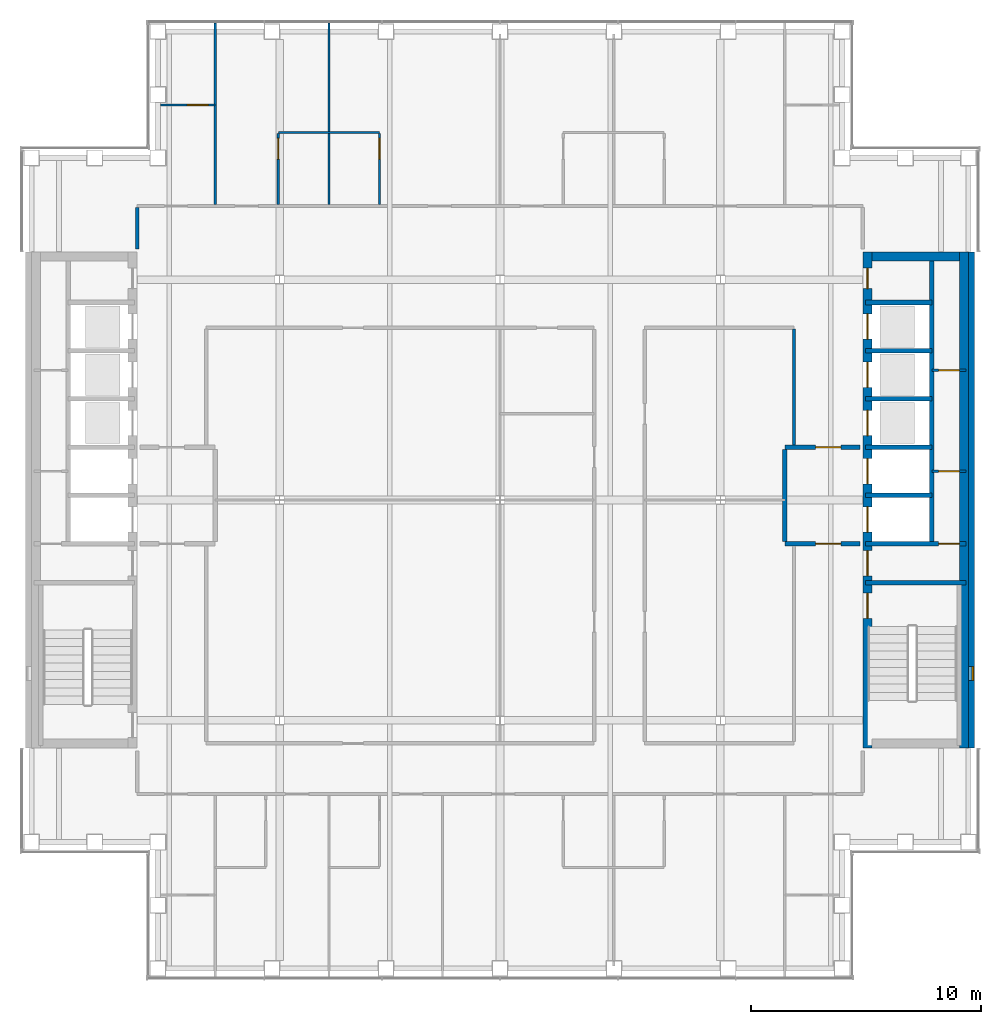
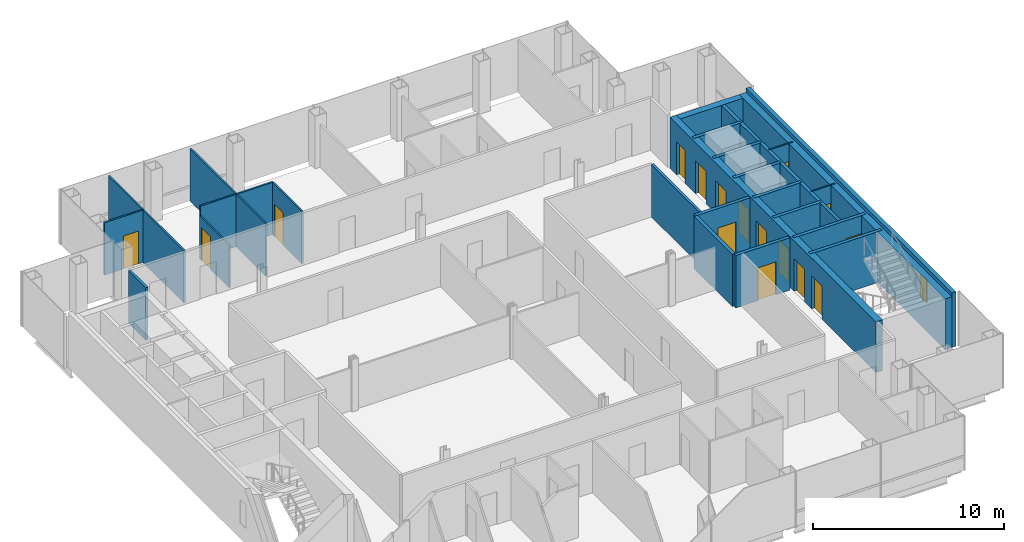
# One storey, part 12 of 15: 26 walls, 16 doors, 1 window, 17 openings.
"""IFC4 building model written with IfcOpenShell, lengths in metres."""

from ifc_helpers import new_model, si_unit, direction, frame, frame_2d, origin, place, context, subcontext, project, spatial, rectangle, extrude, material, layer, layer_set, type_object, element, fill, save


model = new_model("IFC4")

# Units and contexts
model_context = context("Model", 3, precision=1e-05, world=origin(), true_north=direction((0.0, 1.0)))
body_context = subcontext(model_context, "Body", "Model", "MODEL_VIEW")
ifc_project = project(units=[si_unit("LENGTHUNIT", "METRE"), si_unit("AREAUNIT", "SQUARE_METRE"), si_unit("VOLUMEUNIT", "CUBIC_METRE"), si_unit("PLANEANGLEUNIT", "RADIAN"), si_unit("MASSUNIT", "GRAM", prefix="KILO")], contexts=[model_context])

# Site, building, storey
site_placement = place(None, origin())
site = spatial("IfcSite", under=ifc_project, at=site_placement, CompositionType="ELEMENT")
building_placement = place(site_placement, origin())
building = spatial("IfcBuilding", under=site, at=building_placement, Name="Cobrizo Arcos Hotel Tower", CompositionType="ELEMENT")
storey_placement = place(building_placement, frame((0.0, 0.0, 201.5)))
storey = spatial("IfcBuildingStorey", under=building, at=storey_placement, Name="L52", CompositionType="ELEMENT", Elevation=201.5)

# Walls
ifc_material_1 = material(Name="Gypsum board partition")
ifc_layer_1 = layer(ifc_material_1, 0.14990234375)
ifc_layer_set_1 = layer_set([ifc_layer_1], Name="Corridor wall EI 60 150")
wall_type_1 = type_object("IfcWallType", Name="Corridor wall EI 60 150", PredefinedType="PARTITIONING", material=ifc_layer_set_1)
wall_1_placement = place(storey_placement, frame((-15.800048828125, 10.919921875, 0.0), z_axis=(0.0, 0.0, 1.0), x_axis=(0.0, 1.0, 0.0)))
element("IfcWall", 1, at=wall_1_placement, inside=storey, type_object=wall_type_1, Name="Partition 050", PredefinedType="PARTITIONING", context=body_context, shape_type="SweptSolid", body=[
    extrude(rectangle(XDim=1.80517578125, YDim=0.14990234375, at=frame_2d((0.902587890625, 0.0))), origin(), (0.0, 0.0, 1.0), 3.35009765625),
])
wall_2_placement = place(storey_placement, frame((12.800048828125, 2.39990234375, 0.0), z_axis=(0.0, 0.0, 1.0), x_axis=(0.0, 1.0, 0.0)))
element("IfcWall", 2, at=wall_2_placement, inside=storey, type_object=wall_type_1, Name="Partition 083", PredefinedType="PARTITIONING", context=body_context, shape_type="SweptSolid", body=[
    extrude(rectangle(XDim=5.050048828125, YDim=0.14990234375, at=frame_2d((2.52490234375, 0.0))), origin(), (0.0, 0.0, 1.0), 3.35009765625),
])

# Wall, opening, window
ifc_material_2 = material(Name="Aluminium composite panel pale metal", Category="aluminium")
ifc_layer_2 = layer(ifc_material_2, 0.25)
ifc_layer_set_2 = layer_set([ifc_layer_2], Name="EW-1 insulated panel wall 250")
wall_type_2 = type_object("IfcWallType", Name="EW-1 insulated panel wall 250", PredefinedType="SOLIDWALL", material=ifc_layer_set_2)
wall_3_placement = place(storey_placement, frame((20.52490234375, -10.800048828125, 0.0), z_axis=(0.0, 0.0, 1.0), x_axis=(0.0, 1.0, 0.0)))
wall_3 = element("IfcWall", 3, at=wall_3_placement, inside=storey, type_object=wall_type_2, Name="Core face wall L52 E", PredefinedType="SOLIDWALL", context=body_context, shape_type="SweptSolid", body=[
    extrude(rectangle(XDim=21.60009765625, YDim=0.25, at=frame_2d((10.800048828125, 0.0))), origin(), (0.0, 0.0, 1.0), 3.5),
])
opening_1_placement = place(wall_3_placement, frame((2.949951171875, 0.0, 1.0)))
opening_1 = element("IfcOpeningElement", 4, at=opening_1_placement, cuts=wall_3, Name="Opening W-117", PredefinedType="OPENING", context=body_context, shape_type="SweptSolid", body=[
    extrude(rectangle(XDim=0.60009765625, YDim=1.5, at=frame_2d((0.300048828125, 0.75))), frame((0.0, 0.136962890625, 0.0), z_axis=(0.0, -1.0, 0.0), x_axis=(1.0, 0.0, 0.0)), (0.0, 0.0, 1.0), 0.27392578125),
])
ifc_material_3 = material(Name="Aluminium 6063-T6 and clear laminated glass", Category="aluminium")
window_type = type_object("IfcWindowType", Name="W-C1 core stair slot window 600x1500", PartitioningType="SINGLE_PANEL", PredefinedType="WINDOW", material=ifc_material_3)
window_placement = place(opening_1_placement, origin())
window = element("IfcWindow", 5, at=window_placement, inside=storey, type_object=window_type, Name="Core face wall L52 E window W-117", OverallHeight=1.5, OverallWidth=0.60009765625, PartitioningType="SINGLE_PANEL", PredefinedType="WINDOW", context=body_context, shape_type="SweptSolid", body=[
    extrude(rectangle(XDim=0.60009765625, YDim=1.5, at=frame_2d((0.300048828125, 0.75))), frame((0.0, -0.034912109375, 0.0), z_axis=(0.0, -1.0, 0.0), x_axis=(1.0, 0.0, 0.0)), (0.0, 0.0, 1.0), 0.06005859375),
])
fill(opening_1, window)

# Wall, opening, door
ifc_layer_3 = layer(ifc_material_1, 0.10009765625)
ifc_layer_set_3 = layer_set([ifc_layer_3], Name="Partition EI 30 100")
wall_type_3 = type_object("IfcWallType", Name="Partition EI 30 100", PredefinedType="PARTITIONING", material=ifc_layer_set_3)
wall_4_placement = place(storey_placement, frame((18.800048828125, 1.25, 0.0), z_axis=(0.0, 0.0, 1.0), x_axis=(1.0, 0.0, 0.0)))
wall_4 = element("IfcWall", 6, at=wall_4_placement, inside=storey, type_object=wall_type_3, Name="Partition 026", PredefinedType="PARTITIONING", context=body_context, shape_type="SweptSolid", body=[
    extrude(rectangle(XDim=1.47998046875, YDim=0.10009765625, at=frame_2d((0.739990234375, 0.0))), origin(), (0.0, 0.0, 1.0), 3.25),
])
opening_2_placement = place(wall_4_placement, frame((0.300048828125, 0.0, 0.0)))
opening_2 = element("IfcOpeningElement", 7, at=opening_2_placement, cuts=wall_4, Name="Opening RD-07", PredefinedType="OPENING", context=body_context, shape_type="SweptSolid", body=[
    extrude(rectangle(XDim=0.89990234375, YDim=2.10009765625, at=frame_2d((0.449951171875, 1.050048828125))), frame((0.0, 0.06201171875, 0.0), z_axis=(0.0, -1.0, 0.0), x_axis=(1.0, 0.0, 0.0)), (0.0, 0.0, 1.0), 0.1240234375),
])
ifc_material_4 = material(Name="Timber door leaf", Category="wood")
door_type_1 = type_object("IfcDoorType", Name="Room door FD30 900x2100", OperationType="SINGLE_SWING_LEFT", PredefinedType="DOOR", material=ifc_material_4)
door_1_placement = place(opening_2_placement, origin())
door_1 = element("IfcDoor", 8, at=door_1_placement, inside=storey, type_object=door_type_1, Name="Door RD-07", OperationType="SINGLE_SWING_LEFT", OverallHeight=2.10009765625, OverallWidth=0.89990234375, PredefinedType="DOOR", context=body_context, shape_type="SweptSolid", body=[
    extrude(rectangle(XDim=0.89990234375, YDim=2.10009765625, at=frame_2d((0.449951171875, 1.050048828125))), frame((0.0, 0.02490234375, 0.0), z_axis=(0.0, -1.0, 0.0), x_axis=(1.0, 0.0, 0.0)), (0.0, 0.0, 1.0), 0.050048828125),
])
fill(opening_2, door_1)

wall_5_placement = place(storey_placement, frame((18.800048828125, 5.64990234375, 0.0), z_axis=(0.0, 0.0, 1.0), x_axis=(1.0, 0.0, 0.0)))
wall_5 = element("IfcWall", 9, at=wall_5_placement, inside=storey, type_object=wall_type_3, Name="Partition 035", PredefinedType="PARTITIONING", context=body_context, shape_type="SweptSolid", body=[
    extrude(rectangle(XDim=1.47998046875, YDim=0.10009765625, at=frame_2d((0.739990234375, 0.0))), origin(), (0.0, 0.0, 1.0), 3.25),
])
opening_3_placement = place(wall_5_placement, frame((0.300048828125, 0.0, 0.0)))
opening_3 = element("IfcOpeningElement", 10, at=opening_3_placement, cuts=wall_5, Name="Opening RD-08", PredefinedType="OPENING", context=body_context, shape_type="SweptSolid", body=[
    extrude(rectangle(XDim=0.89990234375, YDim=2.10009765625, at=frame_2d((0.449951171875, 1.050048828125))), frame((0.0, 0.06201171875, 0.0), z_axis=(0.0, -1.0, 0.0), x_axis=(1.0, 0.0, 0.0)), (0.0, 0.0, 1.0), 0.1240234375),
])
door_2_placement = place(opening_3_placement, origin())
door_2 = element("IfcDoor", 11, at=door_2_placement, inside=storey, type_object=door_type_1, Name="Door RD-08", OperationType="SINGLE_SWING_LEFT", OverallHeight=2.10009765625, OverallWidth=0.89990234375, PredefinedType="DOOR", context=body_context, shape_type="SweptSolid", body=[
    extrude(rectangle(XDim=0.89990234375, YDim=2.10009765625, at=frame_2d((0.449951171875, 1.050048828125))), frame((0.0, 0.02490234375, 0.0), z_axis=(0.0, -1.0, 0.0), x_axis=(1.0, 0.0, 0.0)), (0.0, 0.0, 1.0), 0.050048828125),
])
fill(opening_3, door_2)

# Wall
wall_6_placement = place(storey_placement, frame((-9.64990234375, 16.0, 0.0), z_axis=(0.0, 0.0, 1.0), x_axis=(1.0, 0.0, 0.0)))
element("IfcWall", 12, at=wall_6_placement, inside=storey, type_object=wall_type_3, Name="Partition 043", PredefinedType="PARTITIONING", context=body_context, shape_type="SweptSolid", body=[
    extrude(rectangle(XDim=4.39990234375, YDim=0.10009765625, at=frame_2d((2.199951171875, 0.0))), origin(), (0.0, 0.0, 1.0), 3.35009765625),
])

# Wall, opening, door
wall_7_placement = place(storey_placement, frame((-14.780029296875, 17.199951171875, 0.0), z_axis=(0.0, 0.0, 1.0), x_axis=(1.0, 0.0, 0.0)))
wall_7 = element("IfcWall", 13, at=wall_7_placement, inside=storey, type_object=wall_type_3, Name="Partition 045", PredefinedType="PARTITIONING", context=body_context, shape_type="SweptSolid", body=[
    extrude(rectangle(XDim=2.380126953125, YDim=0.10009765625, at=frame_2d((1.18994140625, 0.0))), origin(), (0.0, 0.0, 1.0), 3.35009765625),
])
opening_4_placement = place(wall_7_placement, frame((1.16796875, 0.0, 0.0)))
opening_4 = element("IfcOpeningElement", 14, at=opening_4_placement, cuts=wall_7, Name="Opening ED-10", PredefinedType="OPENING", context=body_context, shape_type="SweptSolid", body=[
    extrude(rectangle(XDim=0.89990234375, YDim=2.10009765625, at=frame_2d((0.449951171875, 1.050048828125))), frame((0.0, 0.06201171875, 0.0), z_axis=(0.0, -1.0, 0.0), x_axis=(1.0, 0.0, 0.0)), (0.0, 0.0, 1.0), 0.1240234375),
])
door_type_2 = type_object("IfcDoorType", Name="En-suite door 900x2100", OperationType="SINGLE_SWING_LEFT", PredefinedType="DOOR", material=ifc_material_4)
door_3_placement = place(opening_4_placement, origin())
door_3 = element("IfcDoor", 15, at=door_3_placement, inside=storey, type_object=door_type_2, Name="Door ED-10", OperationType="SINGLE_SWING_LEFT", OverallHeight=2.10009765625, OverallWidth=0.89990234375, PredefinedType="DOOR", context=body_context, shape_type="SweptSolid", body=[
    extrude(rectangle(XDim=0.89990234375, YDim=2.10009765625, at=frame_2d((0.449951171875, 1.050048828125))), frame((0.0, 0.02490234375, 0.0), z_axis=(0.0, -1.0, 0.0), x_axis=(1.0, 0.0, 0.0)), (0.0, 0.0, 1.0), 0.050048828125),
])
fill(opening_4, door_3)

# Wall
wall_8_placement = place(storey_placement, frame((-12.39990234375, 12.875, 0.0), z_axis=(0.0, 0.0, 1.0), x_axis=(0.0, 1.0, 0.0)))
element("IfcWall", 16, at=wall_8_placement, inside=storey, type_object=wall_type_3, Name="Partition 055", PredefinedType="PARTITIONING", context=body_context, shape_type="SweptSolid", body=[
    extrude(rectangle(XDim=7.905029296875, YDim=0.10009765625, at=frame_2d((3.95263671875, 0.0))), origin(), (0.0, 0.0, 1.0), 3.35009765625),
])

# Wall, opening, door
wall_9_placement = place(storey_placement, frame((-9.64990234375, 12.875, 0.0), z_axis=(0.0, 0.0, 1.0), x_axis=(0.0, 1.0, 0.0)))
wall_9 = element("IfcWall", 17, at=wall_9_placement, inside=storey, type_object=wall_type_3, Name="Partition 057", PredefinedType="PARTITIONING", context=body_context, shape_type="SweptSolid", body=[
    extrude(rectangle(XDim=3.074951171875, YDim=0.10009765625, at=frame_2d((1.53759765625, 0.0))), origin(), (0.0, 0.0, 1.0), 2.72802734375),
])
opening_5_placement = place(wall_9_placement, frame((1.970947265625, 0.0, 0.0)))
opening_5 = element("IfcOpeningElement", 18, at=opening_5_placement, cuts=wall_9, Name="Opening ED-01", PredefinedType="OPENING", context=body_context, shape_type="SweptSolid", body=[
    extrude(rectangle(XDim=0.89990234375, YDim=2.10009765625, at=frame_2d((0.449951171875, 1.050048828125))), frame((0.0, 0.06201171875, 0.0), z_axis=(0.0, -1.0, 0.0), x_axis=(1.0, 0.0, 0.0)), (0.0, 0.0, 1.0), 0.1240234375),
])
door_4_placement = place(opening_5_placement, origin())
door_4 = element("IfcDoor", 19, at=door_4_placement, inside=storey, type_object=door_type_2, Name="Door ED-01", OperationType="SINGLE_SWING_RIGHT", OverallHeight=2.10009765625, OverallWidth=0.89990234375, PredefinedType="DOOR", context=body_context, shape_type="SweptSolid", body=[
    extrude(rectangle(XDim=0.89990234375, YDim=2.10009765625, at=frame_2d((0.449951171875, 1.050048828125))), frame((0.0, 0.02490234375, 0.0), z_axis=(0.0, -1.0, 0.0), x_axis=(1.0, 0.0, 0.0)), (0.0, 0.0, 1.0), 0.050048828125),
])
fill(opening_5, door_4)

# Walls
wall_10_placement = place(storey_placement, frame((-7.449951171875, 12.875, 0.0), z_axis=(0.0, 0.0, 1.0), x_axis=(0.0, 1.0, 0.0)))
element("IfcWall", 20, at=wall_10_placement, inside=storey, type_object=wall_type_3, Name="Partition 059", PredefinedType="PARTITIONING", context=body_context, shape_type="SweptSolid", body=[
    extrude(rectangle(XDim=3.074951171875, YDim=0.10009765625, at=frame_2d((1.53759765625, 0.0))), origin(), (0.0, 0.0, 1.0), 3.35009765625),
])
wall_11_placement = place(storey_placement, frame((-7.449951171875, 16.050048828125, 0.0), z_axis=(0.0, 0.0, 1.0), x_axis=(0.0, 1.0, 0.0)))
element("IfcWall", 21, at=wall_11_placement, inside=storey, type_object=wall_type_3, Name="Partition 060", PredefinedType="PARTITIONING", context=body_context, shape_type="SweptSolid", body=[
    extrude(rectangle(XDim=4.72998046875, YDim=0.10009765625, at=frame_2d((2.364990234375, 0.0))), origin(), (0.0, 0.0, 1.0), 3.35009765625),
])

# Wall, opening, door
wall_12_placement = place(storey_placement, frame((-5.25, 12.875, 0.0), z_axis=(0.0, 0.0, 1.0), x_axis=(0.0, 1.0, 0.0)))
wall_12 = element("IfcWall", 22, at=wall_12_placement, inside=storey, type_object=wall_type_3, Name="Partition 062", PredefinedType="PARTITIONING", context=body_context, shape_type="SweptSolid", body=[
    extrude(rectangle(XDim=3.074951171875, YDim=0.10009765625, at=frame_2d((1.53759765625, 0.0))), origin(), (0.0, 0.0, 1.0), 3.35009765625),
])
opening_6_placement = place(wall_12_placement, frame((1.970947265625, 0.0, 0.0)))
opening_6 = element("IfcOpeningElement", 23, at=opening_6_placement, cuts=wall_12, Name="Opening ED-02", PredefinedType="OPENING", context=body_context, shape_type="SweptSolid", body=[
    extrude(rectangle(XDim=0.89990234375, YDim=2.10009765625, at=frame_2d((0.449951171875, 1.050048828125))), frame((0.0, 0.06201171875, 0.0), z_axis=(0.0, -1.0, 0.0), x_axis=(1.0, 0.0, 0.0)), (0.0, 0.0, 1.0), 0.1240234375),
])
door_5_placement = place(opening_6_placement, origin())
door_5 = element("IfcDoor", 24, at=door_5_placement, inside=storey, type_object=door_type_2, Name="Door ED-02", OperationType="SINGLE_SWING_RIGHT", OverallHeight=2.10009765625, OverallWidth=0.89990234375, PredefinedType="DOOR", context=body_context, shape_type="SweptSolid", body=[
    extrude(rectangle(XDim=0.89990234375, YDim=2.10009765625, at=frame_2d((0.449951171875, 1.050048828125))), frame((0.0, 0.02490234375, 0.0), z_axis=(0.0, -1.0, 0.0), x_axis=(1.0, 0.0, 0.0)), (0.0, 0.0, 1.0), 0.050048828125),
])
fill(opening_6, door_5)

# Wall, openings, doors
ifc_material_5 = material(Name="Concrete f'c 40 MPa", Category="concrete")
ifc_layer_4 = layer(ifc_material_5, 0.39990234375)
ifc_layer_set_4 = layer_set([ifc_layer_4], Name="RC core wall 400 f'c 40")
wall_type_4 = type_object("IfcWallType", Name="RC core wall 400 f'c 40", PredefinedType="SHEAR", material=ifc_layer_set_4)
wall_13_placement = place(storey_placement, frame((16.0, -10.800048828125, 0.0), z_axis=(0.0, 0.0, 1.0), x_axis=(0.0, 1.0, 0.0)))
wall_13 = element("IfcWall", 25, at=wall_13_placement, inside=storey, type_object=wall_type_4, Name="Core wall CW4, east core, inner face, L52", PredefinedType="SHEAR", context=body_context, shape_type="SweptSolid", body=[
    extrude(rectangle(XDim=21.60009765625, YDim=0.39990234375, at=frame_2d((10.800048828125, 0.0))), origin(), (0.0, 0.0, 1.0), 3.25),
])
opening_7_placement = place(wall_13_placement, frame((9.39990234375, 0.0, 0.0)))
opening_7 = element("IfcOpeningElement", 26, at=opening_7_placement, cuts=wall_13, Name="Opening LD-06", PredefinedType="OPENING", context=body_context, shape_type="SweptSolid", body=[
    extrude(rectangle(XDim=1.10009765625, YDim=2.10009765625, at=frame_2d((0.550048828125, 1.050048828125))), frame((0.0, 0.2119140625, 0.0), z_axis=(0.0, -1.0, 0.0), x_axis=(1.0, 0.0, 0.0)), (0.0, 0.0, 1.0), 0.423828125),
])
opening_8_placement = place(wall_13_placement, frame((11.5, 0.0, 0.0)))
opening_8 = element("IfcOpeningElement", 27, at=opening_8_placement, cuts=wall_13, Name="Opening LD-07", PredefinedType="OPENING", context=body_context, shape_type="SweptSolid", body=[
    extrude(rectangle(XDim=1.10009765625, YDim=2.10009765625, at=frame_2d((0.550048828125, 1.050048828125))), frame((0.0, 0.2119140625, 0.0), z_axis=(0.0, -1.0, 0.0), x_axis=(1.0, 0.0, 0.0)), (0.0, 0.0, 1.0), 0.423828125),
])
opening_9_placement = place(wall_13_placement, frame((13.60009765625, 0.0, 0.0)))
opening_9 = element("IfcOpeningElement", 28, at=opening_9_placement, cuts=wall_13, Name="Opening LD-08", PredefinedType="OPENING", context=body_context, shape_type="SweptSolid", body=[
    extrude(rectangle(XDim=1.10009765625, YDim=2.10009765625, at=frame_2d((0.550048828125, 1.050048828125))), frame((0.0, 0.2119140625, 0.0), z_axis=(0.0, -1.0, 0.0), x_axis=(1.0, 0.0, 0.0)), (0.0, 0.0, 1.0), 0.423828125),
])
opening_10_placement = place(wall_13_placement, frame((15.699951171875, 0.0, 0.0)))
opening_10 = element("IfcOpeningElement", 29, at=opening_10_placement, cuts=wall_13, Name="Opening LD-09", PredefinedType="OPENING", context=body_context, shape_type="SweptSolid", body=[
    extrude(rectangle(XDim=1.10009765625, YDim=2.10009765625, at=frame_2d((0.550048828125, 1.050048828125))), frame((0.0, 0.2119140625, 0.0), z_axis=(0.0, -1.0, 0.0), x_axis=(1.0, 0.0, 0.0)), (0.0, 0.0, 1.0), 0.423828125),
])
opening_11_placement = place(wall_13_placement, frame((17.800048828125, 0.0, 0.0)))
opening_11 = element("IfcOpeningElement", 30, at=opening_11_placement, cuts=wall_13, Name="Opening LD-10", PredefinedType="OPENING", context=body_context, shape_type="SweptSolid", body=[
    extrude(rectangle(XDim=1.10009765625, YDim=2.10009765625, at=frame_2d((0.550048828125, 1.050048828125))), frame((0.0, 0.2119140625, 0.0), z_axis=(0.0, -1.0, 0.0), x_axis=(1.0, 0.0, 0.0)), (0.0, 0.0, 1.0), 0.423828125),
])
opening_12_placement = place(wall_13_placement, frame((5.64208984375, 0.0, 0.0)))
opening_12 = element("IfcOpeningElement", 31, at=opening_12_placement, cuts=wall_13, Name="Opening SD-02", PredefinedType="OPENING", context=body_context, shape_type="SweptSolid", body=[
    extrude(rectangle(XDim=1.10009765625, YDim=2.10009765625, at=frame_2d((0.550048828125, 1.050048828125))), frame((0.0, 0.2119140625, 0.0), z_axis=(0.0, -1.0, 0.0), x_axis=(1.0, 0.0, 0.0)), (0.0, 0.0, 1.0), 0.423828125),
])
opening_13_placement = place(wall_13_placement, frame((7.5, 0.0, 0.0)))
opening_13 = element("IfcOpeningElement", 32, at=opening_13_placement, cuts=wall_13, Name="Opening FD-04", PredefinedType="OPENING", context=body_context, shape_type="SweptSolid", body=[
    extrude(rectangle(XDim=1.10009765625, YDim=2.10009765625, at=frame_2d((0.550048828125, 1.050048828125))), frame((0.0, 0.2119140625, 0.0), z_axis=(0.0, -1.0, 0.0), x_axis=(1.0, 0.0, 0.0)), (0.0, 0.0, 1.0), 0.423828125),
])
opening_14_placement = place(wall_13_placement, frame((20.0, 0.0, 0.0)))
opening_14 = element("IfcOpeningElement", 33, at=opening_14_placement, cuts=wall_13, Name="Opening RD-05", PredefinedType="OPENING", context=body_context, shape_type="SweptSolid", body=[
    extrude(rectangle(XDim=0.89990234375, YDim=2.10009765625, at=frame_2d((0.449951171875, 1.050048828125))), frame((0.0, 0.2119140625, 0.0), z_axis=(0.0, -1.0, 0.0), x_axis=(1.0, 0.0, 0.0)), (0.0, 0.0, 1.0), 0.423828125),
])
ifc_material_6 = material(Name="Steel door leaf", Category="steel")
door_type_3 = type_object("IfcDoorType", Name="Fire door FD60 1100x2100", OperationType="SINGLE_SWING_LEFT", PredefinedType="DOOR", material=ifc_material_6)
door_6_placement = place(opening_13_placement, origin())
door_6 = element("IfcDoor", 34, at=door_6_placement, inside=storey, type_object=door_type_3, Name="Door FD-04", OperationType="SINGLE_SWING_LEFT", OverallHeight=2.10009765625, OverallWidth=1.10009765625, PredefinedType="DOOR", context=body_context, shape_type="SweptSolid", body=[
    extrude(rectangle(XDim=1.10009765625, YDim=2.10009765625, at=frame_2d((0.550048828125, 1.050048828125))), frame((0.0, 0.02490234375, 0.0), z_axis=(0.0, -1.0, 0.0), x_axis=(1.0, 0.0, 0.0)), (0.0, 0.0, 1.0), 0.050048828125),
])
fill(opening_13, door_6)
door_type_4 = type_object("IfcDoorType", Name="Lift landing door 1100x2100", OperationType="SLIDING_TO_LEFT", PredefinedType="DOOR", material=ifc_material_6)
door_7_placement = place(opening_7_placement, origin())
door_7 = element("IfcDoor", 35, at=door_7_placement, inside=storey, type_object=door_type_4, Name="Lift landing door LD-06", OperationType="SLIDING_TO_LEFT", OverallHeight=2.10009765625, OverallWidth=1.10009765625, PredefinedType="DOOR", context=body_context, shape_type="SweptSolid", body=[
    extrude(rectangle(XDim=1.10009765625, YDim=2.10009765625, at=frame_2d((0.550048828125, 1.050048828125))), frame((0.0, 0.02490234375, 0.0), z_axis=(0.0, -1.0, 0.0), x_axis=(1.0, 0.0, 0.0)), (0.0, 0.0, 1.0), 0.050048828125),
])
fill(opening_7, door_7)
door_8_placement = place(opening_8_placement, origin())
door_8 = element("IfcDoor", 36, at=door_8_placement, inside=storey, type_object=door_type_4, Name="Lift landing door LD-07", OperationType="SLIDING_TO_LEFT", OverallHeight=2.10009765625, OverallWidth=1.10009765625, PredefinedType="DOOR", context=body_context, shape_type="SweptSolid", body=[
    extrude(rectangle(XDim=1.10009765625, YDim=2.10009765625, at=frame_2d((0.550048828125, 1.050048828125))), frame((0.0, 0.02490234375, 0.0), z_axis=(0.0, -1.0, 0.0), x_axis=(1.0, 0.0, 0.0)), (0.0, 0.0, 1.0), 0.050048828125),
])
fill(opening_8, door_8)
door_9_placement = place(opening_9_placement, origin())
door_9 = element("IfcDoor", 37, at=door_9_placement, inside=storey, type_object=door_type_4, Name="Lift landing door LD-08", OperationType="SLIDING_TO_LEFT", OverallHeight=2.10009765625, OverallWidth=1.10009765625, PredefinedType="DOOR", context=body_context, shape_type="SweptSolid", body=[
    extrude(rectangle(XDim=1.10009765625, YDim=2.10009765625, at=frame_2d((0.550048828125, 1.050048828125))), frame((0.0, 0.02490234375, 0.0), z_axis=(0.0, -1.0, 0.0), x_axis=(1.0, 0.0, 0.0)), (0.0, 0.0, 1.0), 0.050048828125),
])
fill(opening_9, door_9)
door_10_placement = place(opening_10_placement, origin())
door_10 = element("IfcDoor", 38, at=door_10_placement, inside=storey, type_object=door_type_4, Name="Lift landing door LD-09", OperationType="SLIDING_TO_LEFT", OverallHeight=2.10009765625, OverallWidth=1.10009765625, PredefinedType="DOOR", context=body_context, shape_type="SweptSolid", body=[
    extrude(rectangle(XDim=1.10009765625, YDim=2.10009765625, at=frame_2d((0.550048828125, 1.050048828125))), frame((0.0, 0.02490234375, 0.0), z_axis=(0.0, -1.0, 0.0), x_axis=(1.0, 0.0, 0.0)), (0.0, 0.0, 1.0), 0.050048828125),
])
fill(opening_10, door_10)
door_11_placement = place(opening_11_placement, origin())
door_11 = element("IfcDoor", 39, at=door_11_placement, inside=storey, type_object=door_type_4, Name="Lift landing door LD-10", OperationType="SLIDING_TO_LEFT", OverallHeight=2.10009765625, OverallWidth=1.10009765625, PredefinedType="DOOR", context=body_context, shape_type="SweptSolid", body=[
    extrude(rectangle(XDim=1.10009765625, YDim=2.10009765625, at=frame_2d((0.550048828125, 1.050048828125))), frame((0.0, 0.02490234375, 0.0), z_axis=(0.0, -1.0, 0.0), x_axis=(1.0, 0.0, 0.0)), (0.0, 0.0, 1.0), 0.050048828125),
])
fill(opening_11, door_11)
door_12_placement = place(opening_14_placement, origin())
door_12 = element("IfcDoor", 40, at=door_12_placement, inside=storey, type_object=door_type_1, Name="Door RD-05", OperationType="SINGLE_SWING_RIGHT", OverallHeight=2.10009765625, OverallWidth=0.89990234375, PredefinedType="DOOR", context=body_context, shape_type="SweptSolid", body=[
    extrude(rectangle(XDim=0.89990234375, YDim=2.10009765625, at=frame_2d((0.449951171875, 1.050048828125))), frame((0.0, 0.02490234375, 0.0), z_axis=(0.0, -1.0, 0.0), x_axis=(1.0, 0.0, 0.0)), (0.0, 0.0, 1.0), 0.050048828125),
])
fill(opening_14, door_12)
door_type_5 = type_object("IfcDoorType", Name="Stair door FD60S 1100x2100", OperationType="SINGLE_SWING_LEFT", PredefinedType="DOOR", material=ifc_material_6)
door_13_placement = place(opening_12_placement, origin())
door_13 = element("IfcDoor", 41, at=door_13_placement, inside=storey, type_object=door_type_5, Name="Door SD-02", OperationType="SINGLE_SWING_LEFT", OverallHeight=2.10009765625, OverallWidth=1.10009765625, PredefinedType="DOOR", context=body_context, shape_type="SweptSolid", body=[
    extrude(rectangle(XDim=1.10009765625, YDim=2.10009765625, at=frame_2d((0.550048828125, 1.050048828125))), frame((0.0, 0.02490234375, 0.0), z_axis=(0.0, -1.0, 0.0), x_axis=(1.0, 0.0, 0.0)), (0.0, 0.0, 1.0), 0.050048828125),
])
fill(opening_12, door_13)

# Walls
wall_14_placement = place(storey_placement, frame((20.199951171875, -10.800048828125, 0.0), z_axis=(0.0, 0.0, 1.0), x_axis=(0.0, 1.0, 0.0)))
element("IfcWall", 42, at=wall_14_placement, inside=storey, type_object=wall_type_4, Name="Core wall CW4, east core, outer face, L52", PredefinedType="SHEAR", context=body_context, shape_type="SweptSolid", body=[
    extrude(rectangle(XDim=21.60009765625, YDim=0.39990234375, at=frame_2d((10.800048828125, 0.0))), origin(), (0.0, 0.0, 1.0), 3.25),
])
wall_15_placement = place(storey_placement, frame((16.199951171875, 10.60009765625, 0.0), z_axis=(0.0, 0.0, 1.0), x_axis=(1.0, 0.0, 0.0)))
element("IfcWall", 43, at=wall_15_placement, inside=storey, type_object=wall_type_4, Name="Core wall CW4, east core, north end, L52", PredefinedType="SHEAR", context=body_context, shape_type="SweptSolid", body=[
    extrude(rectangle(XDim=3.800048828125, YDim=0.39990234375, at=frame_2d((1.89990234375, 0.0))), origin(), (0.0, 0.0, 1.0), 3.25),
])

# Wall, opening, door
ifc_layer_5 = layer(ifc_material_1, 0.199951171875)
ifc_layer_set_5 = layer_set([ifc_layer_5], Name="Shaft wall EI 120 200")
wall_type_5 = type_object("IfcWallType", Name="Shaft wall EI 120 200", PredefinedType="PARTITIONING", material=ifc_layer_set_5)
wall_16_placement = place(storey_placement, frame((12.39990234375, -1.89990234375, 0.0), z_axis=(0.0, 0.0, 1.0), x_axis=(1.0, 0.0, 0.0)))
wall_16 = element("IfcWall", 44, at=wall_16_placement, inside=storey, type_object=wall_type_5, Name="Partition 013", PredefinedType="PARTITIONING", context=body_context, shape_type="SweptSolid", body=[
    extrude(rectangle(XDim=3.280029296875, YDim=0.199951171875, at=frame_2d((1.64013671875, 0.0))), origin(), (0.0, 0.0, 1.0), 3.35009765625),
])
opening_15_placement = place(wall_16_placement, frame((1.340087890625, 0.0, 0.0)))
opening_15 = element("IfcOpeningElement", 45, at=opening_15_placement, cuts=wall_16, Name="Opening FD-06", PredefinedType="OPENING", context=body_context, shape_type="SweptSolid", body=[
    extrude(rectangle(XDim=1.10009765625, YDim=2.10009765625, at=frame_2d((0.550048828125, 1.050048828125))), frame((0.0, 0.112060546875, 0.0), z_axis=(0.0, -1.0, 0.0), x_axis=(1.0, 0.0, 0.0)), (0.0, 0.0, 1.0), 0.223876953125),
])
door_14_placement = place(opening_15_placement, origin())
door_14 = element("IfcDoor", 46, at=door_14_placement, inside=storey, type_object=door_type_3, Name="Door FD-06", OperationType="SINGLE_SWING_RIGHT", OverallHeight=2.10009765625, OverallWidth=1.10009765625, PredefinedType="DOOR", context=body_context, shape_type="SweptSolid", body=[
    extrude(rectangle(XDim=1.10009765625, YDim=2.10009765625, at=frame_2d((0.550048828125, 1.050048828125))), frame((0.0, 0.02490234375, 0.0), z_axis=(0.0, -1.0, 0.0), x_axis=(1.0, 0.0, 0.0)), (0.0, 0.0, 1.0), 0.050048828125),
])
fill(opening_15, door_14)

wall_17_placement = place(storey_placement, frame((15.919921875, -1.89990234375, 0.0), z_axis=(0.0, 0.0, 1.0), x_axis=(1.0, 0.0, 0.0)))
wall_17 = element("IfcWall", 47, at=wall_17_placement, inside=storey, type_object=wall_type_5, Name="Partition 014", PredefinedType="PARTITIONING", context=body_context, shape_type="SweptSolid", body=[
    extrude(rectangle(XDim=4.360107421875, YDim=0.199951171875, at=frame_2d((2.18017578125, 0.0))), origin(), (0.0, 0.0, 1.0), 3.25),
])
opening_16_placement = place(wall_17_placement, frame((3.179931640625, 0.0, 0.0)))
opening_16 = element("IfcOpeningElement", 48, at=opening_16_placement, cuts=wall_17, Name="Opening RD-06", PredefinedType="OPENING", context=body_context, shape_type="SweptSolid", body=[
    extrude(rectangle(XDim=0.89990234375, YDim=2.10009765625, at=frame_2d((0.449951171875, 1.050048828125))), frame((0.0, 0.112060546875, 0.0), z_axis=(0.0, -1.0, 0.0), x_axis=(1.0, 0.0, 0.0)), (0.0, 0.0, 1.0), 0.223876953125),
])
door_15_placement = place(opening_16_placement, origin())
door_15 = element("IfcDoor", 49, at=door_15_placement, inside=storey, type_object=door_type_1, Name="Door RD-06", OperationType="SINGLE_SWING_RIGHT", OverallHeight=2.10009765625, OverallWidth=0.89990234375, PredefinedType="DOOR", context=body_context, shape_type="SweptSolid", body=[
    extrude(rectangle(XDim=0.89990234375, YDim=2.10009765625, at=frame_2d((0.449951171875, 1.050048828125))), frame((0.0, 0.02490234375, 0.0), z_axis=(0.0, -1.0, 0.0), x_axis=(1.0, 0.0, 0.0)), (0.0, 0.0, 1.0), 0.050048828125),
])
fill(opening_16, door_15)

# Wall
wall_18_placement = place(storey_placement, frame((15.919921875, 0.199951171875, 0.0), z_axis=(0.0, 0.0, 1.0), x_axis=(1.0, 0.0, 0.0)))
element("IfcWall", 50, at=wall_18_placement, inside=storey, type_object=wall_type_5, Name="Partition 024", PredefinedType="PARTITIONING", context=body_context, shape_type="SweptSolid", body=[
    extrude(rectangle(XDim=2.880126953125, YDim=0.199951171875, at=frame_2d((1.43994140625, 0.0))), origin(), (0.0, 0.0, 1.0), 3.25),
])

# Wall, opening, door
wall_19_placement = place(storey_placement, frame((12.39990234375, 2.300048828125, 0.0), z_axis=(0.0, 0.0, 1.0), x_axis=(1.0, 0.0, 0.0)))
wall_19 = element("IfcWall", 51, at=wall_19_placement, inside=storey, type_object=wall_type_5, Name="Partition 029", PredefinedType="PARTITIONING", context=body_context, shape_type="SweptSolid", body=[
    extrude(rectangle(XDim=3.280029296875, YDim=0.199951171875, at=frame_2d((1.64013671875, 0.0))), origin(), (0.0, 0.0, 1.0), 3.35009765625),
])
opening_17_placement = place(wall_19_placement, frame((1.340087890625, 0.0, 0.0)))
opening_17 = element("IfcOpeningElement", 52, at=opening_17_placement, cuts=wall_19, Name="Opening FD-05", PredefinedType="OPENING", context=body_context, shape_type="SweptSolid", body=[
    extrude(rectangle(XDim=1.10009765625, YDim=2.10009765625, at=frame_2d((0.550048828125, 1.050048828125))), frame((0.0, 0.112060546875, 0.0), z_axis=(0.0, -1.0, 0.0), x_axis=(1.0, 0.0, 0.0)), (0.0, 0.0, 1.0), 0.223876953125),
])
door_16_placement = place(opening_17_placement, origin())
door_16 = element("IfcDoor", 53, at=door_16_placement, inside=storey, type_object=door_type_3, Name="Door FD-05", OperationType="SINGLE_SWING_RIGHT", OverallHeight=2.10009765625, OverallWidth=1.10009765625, PredefinedType="DOOR", context=body_context, shape_type="SweptSolid", body=[
    extrude(rectangle(XDim=1.10009765625, YDim=2.10009765625, at=frame_2d((0.550048828125, 1.050048828125))), frame((0.0, 0.02490234375, 0.0), z_axis=(0.0, -1.0, 0.0), x_axis=(1.0, 0.0, 0.0)), (0.0, 0.0, 1.0), 0.050048828125),
])
fill(opening_17, door_16)

# Walls
for number, where, z_axis, x_axis, name in (
    (54, (15.919921875, 2.300048828125, 0.0), (0.0, 0.0, 1.0), (1.0, 0.0, 0.0), "Partition 030"),
    (55, (15.919921875, 4.39990234375, 0.0), (0.0, 0.0, 1.0), (1.0, 0.0, 0.0), "Partition 033"),
    (56, (15.919921875, 6.5, 0.0), (0.0, 0.0, 1.0), (1.0, 0.0, 0.0), "Partition 037"),
    (57, (15.919921875, 8.60009765625, 0.0), (0.0, 0.0, 1.0), (1.0, 0.0, 0.0), "Partition 041"),
):
    element("IfcWall", number, at=place(storey_placement, frame(where, z_axis=z_axis, x_axis=x_axis)), inside=storey, type_object=wall_type_5, Name=name, PredefinedType="PARTITIONING", context=body_context, shape_type="SweptSolid", body=[
        extrude(rectangle(XDim=2.880126953125, YDim=0.199951171875, at=frame_2d((1.43994140625, 0.0))), origin(), (0.0, 0.0, 1.0), 3.25),
    ])
wall_20_placement = place(storey_placement, frame((12.39990234375, -1.800048828125, 0.0), z_axis=(0.0, 0.0, 1.0), x_axis=(0.0, 1.0, 0.0)))
element("IfcWall", 58, at=wall_20_placement, inside=storey, type_object=wall_type_5, Name="Partition 080", PredefinedType="PARTITIONING", context=body_context, shape_type="SweptSolid", body=[
    extrude(rectangle(XDim=4.0, YDim=0.199951171875, at=frame_2d((2.0, 0.0))), origin(), (0.0, 0.0, 1.0), 3.35009765625),
])
wall_21_placement = place(storey_placement, frame((18.800048828125, -1.800048828125, 0.0), z_axis=(0.0, 0.0, 1.0), x_axis=(0.0, 1.0, 0.0)))
element("IfcWall", 59, at=wall_21_placement, inside=storey, type_object=wall_type_5, Name="Partition 086", PredefinedType="PARTITIONING", context=body_context, shape_type="SweptSolid", body=[
    extrude(rectangle(XDim=12.47998046875, YDim=0.199951171875, at=frame_2d((6.239990234375, 0.0))), origin(), (0.0, 0.0, 1.0), 3.25),
])
ifc_layer_6 = layer(ifc_material_5, 0.199951171875)
ifc_layer_set_6 = layer_set([ifc_layer_6], Name="Stair shaft wall 200")
wall_type_6 = type_object("IfcWallType", Name="Stair shaft wall 200", PredefinedType="SHEAR", material=ifc_layer_set_6)
wall_22_placement = place(storey_placement, frame((15.919921875, -3.60009765625, 0.0), z_axis=(0.0, 0.0, 1.0), x_axis=(1.0, 0.0, 0.0)))
element("IfcWall", 60, at=wall_22_placement, inside=storey, type_object=wall_type_6, Name="Stair shaft wall E", PredefinedType="SHEAR", context=body_context, shape_type="SweptSolid", body=[
    extrude(rectangle(XDim=4.360107421875, YDim=0.199951171875, at=frame_2d((2.18017578125, 0.0))), origin(), (0.0, 0.0, 1.0), 3.25),
])

save(model, "model.ifc")
